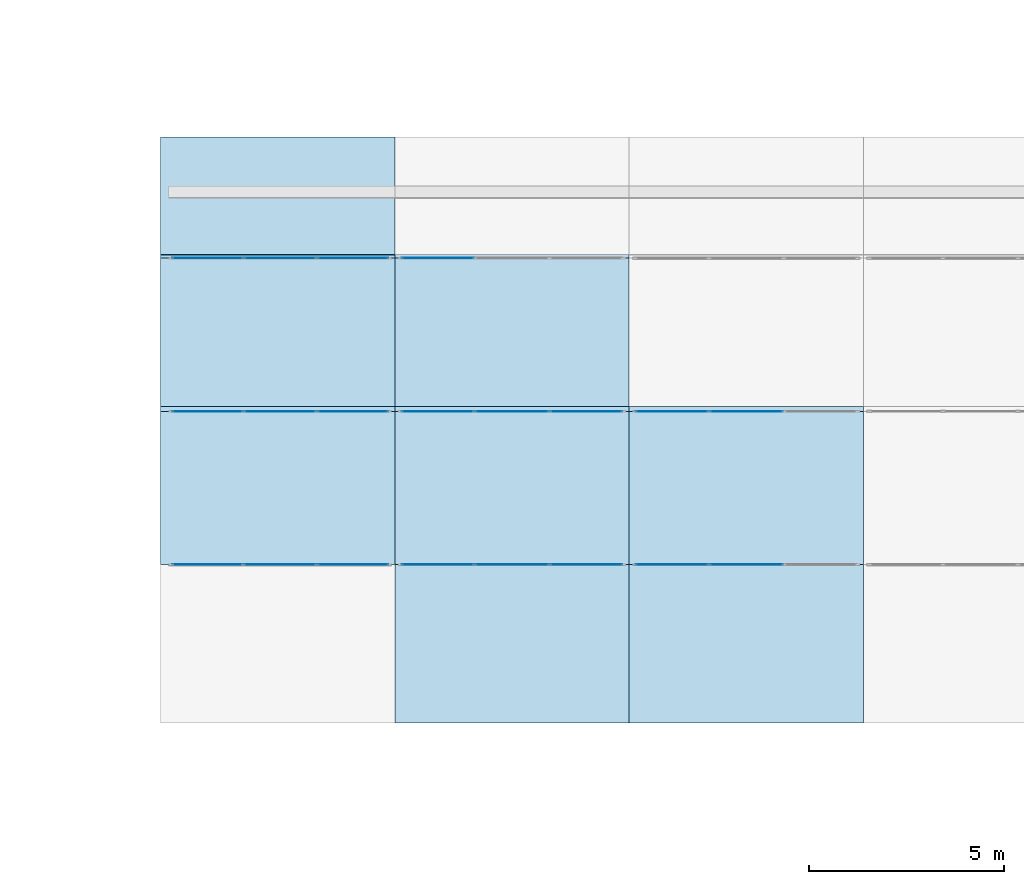
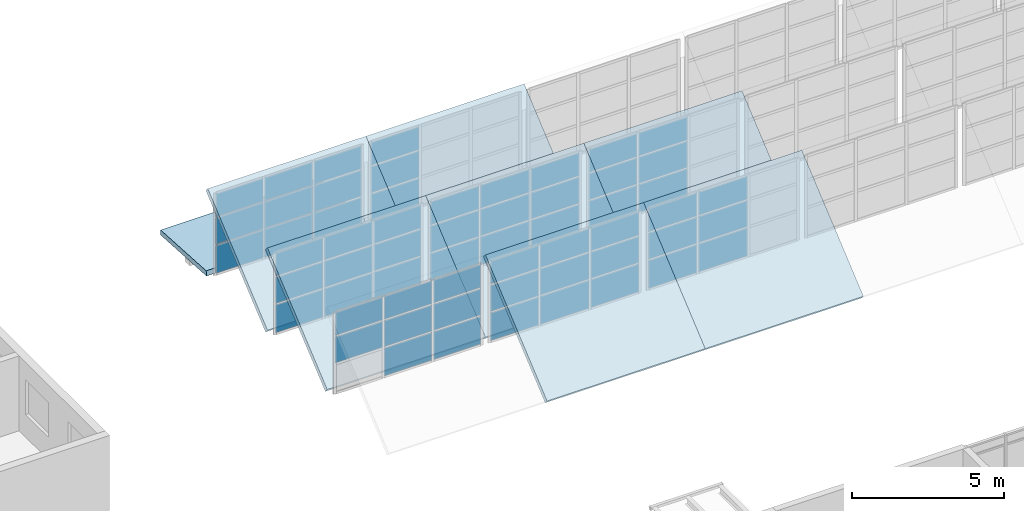
# One storey, part 46 of 122: 59 plates, 8 slabs, 8 elements without a shape of their own.
"""IFC4 building model written with IfcOpenShell, lengths in metres."""

from ifc_helpers import new_model, si_unit, direction, frame, origin, origin_2d, place, context, subcontext, project, spatial, polyline, rectangle, outline, extrude, material, layer, layer_set, type_object, element, aggregate, save


model = new_model("IFC4")

# Units and contexts
model_context = context("Model", 3, precision=1e-05, world=origin(), true_north=direction((0.0, 1.0)))
body_context = subcontext(model_context, "Body", "Model", "MODEL_VIEW")
ifc_project = project(units=[si_unit("LENGTHUNIT", "METRE"), si_unit("AREAUNIT", "SQUARE_METRE"), si_unit("VOLUMEUNIT", "CUBIC_METRE"), si_unit("PLANEANGLEUNIT", "RADIAN"), si_unit("MASSUNIT", "GRAM", prefix="KILO")], contexts=[model_context])

# Site, building, storey
site_placement = place(None, origin())
site = spatial("IfcSite", under=ifc_project, at=site_placement, CompositionType="ELEMENT")
building_placement = place(site_placement, origin())
building = spatial("IfcBuilding", under=site, at=building_placement, Name="Ridgestep Commons", CompositionType="ELEMENT")
storey_placement = place(building_placement, frame((0.0, 0.0, 3.0)))
storey = spatial("IfcBuildingStorey", under=building, at=storey_placement, Name="L01", CompositionType="ELEMENT", Elevation=3.0)

# Curtain wall, plates
ifc_material_1 = material(Name="Aluminium and glass", Category="aluminium")
ifc_layer_1 = layer(ifc_material_1, 0.14990234375)
ifc_layer_set_1 = layer_set([ifc_layer_1], Name="Shop clerestory curtain wall")
curtain_wall_type = type_object("IfcCurtainWallType", Name="Shop clerestory curtain wall", PredefinedType="NOTDEFINED", material=ifc_layer_set_1)
curtain_wall_1_placement = place(storey_placement, origin())
curtain_wall_1 = element("IfcCurtainWall", 1, at=curtain_wall_1_placement, inside=storey, type_object=curtain_wall_type, Name="Shop clerestory curtain wall", PredefinedType="NOTDEFINED")
ifc_material_2 = material(Name="Glass", Category="glass")
ifc_layer_2 = layer(ifc_material_2, 0.011962890625)
ifc_layer_set_2 = layer_set([ifc_layer_2], Name="Community glass panel 12")
plate_type = type_object("IfcPlateType", Name="Community glass panel 12", PredefinedType="CURTAIN_PANEL", material=ifc_layer_set_2)
plate_1_placement = place(storey_placement, frame((177.0, 38.050048828125, 2.4248046875), z_axis=(0.0, 0.0, 1.0), x_axis=(1.0, 0.0, 0.0)))
plate_1 = element("IfcPlate", 2, at=plate_1_placement, type_object=plate_type, Name="CW5 panel 1.2", PredefinedType="CURTAIN_PANEL", context=body_context, shape_type="SweptSolid", body=[
    extrude(rectangle(XDim=1.800048828125, YDim=0.011962890625, at=origin_2d()), origin(), (0.0, 0.0, 1.0), 1.050048828125),
])
plate_2_placement = place(storey_placement, frame((177.0, 38.050048828125, 3.52490234375), z_axis=(0.0, 0.0, 1.0), x_axis=(1.0, 0.0, 0.0)))
plate_2 = element("IfcPlate", 3, at=plate_2_placement, type_object=plate_type, Name="CW5 panel 1.3", PredefinedType="CURTAIN_PANEL", context=body_context, shape_type="SweptSolid", body=[
    extrude(rectangle(XDim=1.800048828125, YDim=0.011962890625, at=origin_2d()), origin(), (0.0, 0.0, 1.0), 0.925048828125),
])
plate_3_placement = place(storey_placement, frame((178.862548828125, 38.050048828125, 1.25), z_axis=(0.0, 0.0, 1.0), x_axis=(1.0, 0.0, 0.0)))
plate_3 = element("IfcPlate", 4, at=plate_3_placement, type_object=plate_type, Name="CW5 panel 2.1", PredefinedType="CURTAIN_PANEL", context=body_context, shape_type="SweptSolid", body=[
    extrude(rectangle(XDim=1.824951171875, YDim=0.011962890625, at=origin_2d()), origin(), (0.0, 0.0, 1.0), 1.125),
])
plate_4_placement = place(storey_placement, frame((178.862548828125, 38.050048828125, 2.4248046875), z_axis=(0.0, 0.0, 1.0), x_axis=(1.0, 0.0, 0.0)))
plate_4 = element("IfcPlate", 5, at=plate_4_placement, type_object=plate_type, Name="CW5 panel 2.2", PredefinedType="CURTAIN_PANEL", context=body_context, shape_type="SweptSolid", body=[
    extrude(rectangle(XDim=1.824951171875, YDim=0.011962890625, at=origin_2d()), origin(), (0.0, 0.0, 1.0), 1.050048828125),
])
plate_5_placement = place(storey_placement, frame((178.862548828125, 38.050048828125, 3.52490234375), z_axis=(0.0, 0.0, 1.0), x_axis=(1.0, 0.0, 0.0)))
plate_5 = element("IfcPlate", 6, at=plate_5_placement, type_object=plate_type, Name="CW5 panel 2.3", PredefinedType="CURTAIN_PANEL", context=body_context, shape_type="SweptSolid", body=[
    extrude(rectangle(XDim=1.824951171875, YDim=0.011962890625, at=origin_2d()), origin(), (0.0, 0.0, 1.0), 0.925048828125),
])
plate_6_placement = place(storey_placement, frame((180.72509765625, 38.050048828125, 1.25), z_axis=(0.0, 0.0, 1.0), x_axis=(1.0, 0.0, 0.0)))
plate_6 = element("IfcPlate", 7, at=plate_6_placement, type_object=plate_type, Name="CW5 panel 3.1", PredefinedType="CURTAIN_PANEL", context=body_context, shape_type="SweptSolid", body=[
    extrude(rectangle(XDim=1.800048828125, YDim=0.011962890625, at=origin_2d()), origin(), (0.0, 0.0, 1.0), 1.125),
])
plate_7_placement = place(storey_placement, frame((180.72509765625, 38.050048828125, 2.4248046875), z_axis=(0.0, 0.0, 1.0), x_axis=(1.0, 0.0, 0.0)))
plate_7 = element("IfcPlate", 8, at=plate_7_placement, type_object=plate_type, Name="CW5 panel 3.2", PredefinedType="CURTAIN_PANEL", context=body_context, shape_type="SweptSolid", body=[
    extrude(rectangle(XDim=1.800048828125, YDim=0.011962890625, at=origin_2d()), origin(), (0.0, 0.0, 1.0), 1.050048828125),
])
plate_8_placement = place(storey_placement, frame((180.72509765625, 38.050048828125, 3.52490234375), z_axis=(0.0, 0.0, 1.0), x_axis=(1.0, 0.0, 0.0)))
plate_8 = element("IfcPlate", 9, at=plate_8_placement, type_object=plate_type, Name="CW5 panel 3.3", PredefinedType="CURTAIN_PANEL", context=body_context, shape_type="SweptSolid", body=[
    extrude(rectangle(XDim=1.800048828125, YDim=0.011962890625, at=origin_2d()), origin(), (0.0, 0.0, 1.0), 0.925048828125),
])
aggregate(curtain_wall_1, [plate_1, plate_2, plate_3, plate_4, plate_5, plate_6, plate_7, plate_8])

curtain_wall_2_placement = place(storey_placement, origin())
curtain_wall_2 = element("IfcCurtainWall", 10, at=curtain_wall_2_placement, inside=storey, type_object=curtain_wall_type, Name="Shop clerestory curtain wall", PredefinedType="NOTDEFINED")
plate_9_placement = place(storey_placement, frame((177.0, 41.97509765625, 1.25), z_axis=(0.0, 0.0, 1.0), x_axis=(1.0, 0.0, 0.0)))
plate_9 = element("IfcPlate", 11, at=plate_9_placement, type_object=plate_type, Name="CW5 panel 1.1", PredefinedType="CURTAIN_PANEL", context=body_context, shape_type="SweptSolid", body=[
    extrude(rectangle(XDim=1.800048828125, YDim=0.011962890625, at=origin_2d()), origin(), (0.0, 0.0, 1.0), 1.125),
])
plate_10_placement = place(storey_placement, frame((177.0, 41.97509765625, 2.4248046875), z_axis=(0.0, 0.0, 1.0), x_axis=(1.0, 0.0, 0.0)))
plate_10 = element("IfcPlate", 12, at=plate_10_placement, type_object=plate_type, Name="CW5 panel 1.2", PredefinedType="CURTAIN_PANEL", context=body_context, shape_type="SweptSolid", body=[
    extrude(rectangle(XDim=1.800048828125, YDim=0.011962890625, at=origin_2d()), origin(), (0.0, 0.0, 1.0), 1.050048828125),
])
plate_11_placement = place(storey_placement, frame((177.0, 41.97509765625, 3.52490234375), z_axis=(0.0, 0.0, 1.0), x_axis=(1.0, 0.0, 0.0)))
plate_11 = element("IfcPlate", 13, at=plate_11_placement, type_object=plate_type, Name="CW5 panel 1.3", PredefinedType="CURTAIN_PANEL", context=body_context, shape_type="SweptSolid", body=[
    extrude(rectangle(XDim=1.800048828125, YDim=0.011962890625, at=origin_2d()), origin(), (0.0, 0.0, 1.0), 0.925048828125),
])
plate_12_placement = place(storey_placement, frame((178.862548828125, 41.97509765625, 1.25), z_axis=(0.0, 0.0, 1.0), x_axis=(1.0, 0.0, 0.0)))
plate_12 = element("IfcPlate", 14, at=plate_12_placement, type_object=plate_type, Name="CW5 panel 2.1", PredefinedType="CURTAIN_PANEL", context=body_context, shape_type="SweptSolid", body=[
    extrude(rectangle(XDim=1.824951171875, YDim=0.011962890625, at=origin_2d()), origin(), (0.0, 0.0, 1.0), 1.125),
])
plate_13_placement = place(storey_placement, frame((178.862548828125, 41.97509765625, 2.4248046875), z_axis=(0.0, 0.0, 1.0), x_axis=(1.0, 0.0, 0.0)))
plate_13 = element("IfcPlate", 15, at=plate_13_placement, type_object=plate_type, Name="CW5 panel 2.2", PredefinedType="CURTAIN_PANEL", context=body_context, shape_type="SweptSolid", body=[
    extrude(rectangle(XDim=1.824951171875, YDim=0.011962890625, at=origin_2d()), origin(), (0.0, 0.0, 1.0), 1.050048828125),
])
plate_14_placement = place(storey_placement, frame((178.862548828125, 41.97509765625, 3.52490234375), z_axis=(0.0, 0.0, 1.0), x_axis=(1.0, 0.0, 0.0)))
plate_14 = element("IfcPlate", 16, at=plate_14_placement, type_object=plate_type, Name="CW5 panel 2.3", PredefinedType="CURTAIN_PANEL", context=body_context, shape_type="SweptSolid", body=[
    extrude(rectangle(XDim=1.824951171875, YDim=0.011962890625, at=origin_2d()), origin(), (0.0, 0.0, 1.0), 0.925048828125),
])
plate_15_placement = place(storey_placement, frame((180.72509765625, 41.97509765625, 1.25), z_axis=(0.0, 0.0, 1.0), x_axis=(1.0, 0.0, 0.0)))
plate_15 = element("IfcPlate", 17, at=plate_15_placement, type_object=plate_type, Name="CW5 panel 3.1", PredefinedType="CURTAIN_PANEL", context=body_context, shape_type="SweptSolid", body=[
    extrude(rectangle(XDim=1.800048828125, YDim=0.011962890625, at=origin_2d()), origin(), (0.0, 0.0, 1.0), 1.125),
])
plate_16_placement = place(storey_placement, frame((180.72509765625, 41.97509765625, 2.4248046875), z_axis=(0.0, 0.0, 1.0), x_axis=(1.0, 0.0, 0.0)))
plate_16 = element("IfcPlate", 18, at=plate_16_placement, type_object=plate_type, Name="CW5 panel 3.2", PredefinedType="CURTAIN_PANEL", context=body_context, shape_type="SweptSolid", body=[
    extrude(rectangle(XDim=1.800048828125, YDim=0.011962890625, at=origin_2d()), origin(), (0.0, 0.0, 1.0), 1.050048828125),
])
plate_17_placement = place(storey_placement, frame((180.72509765625, 41.97509765625, 3.52490234375), z_axis=(0.0, 0.0, 1.0), x_axis=(1.0, 0.0, 0.0)))
plate_17 = element("IfcPlate", 19, at=plate_17_placement, type_object=plate_type, Name="CW5 panel 3.3", PredefinedType="CURTAIN_PANEL", context=body_context, shape_type="SweptSolid", body=[
    extrude(rectangle(XDim=1.800048828125, YDim=0.011962890625, at=origin_2d()), origin(), (0.0, 0.0, 1.0), 0.925048828125),
])
aggregate(curtain_wall_2, [plate_9, plate_10, plate_11, plate_12, plate_13, plate_14, plate_15, plate_16, plate_17])

curtain_wall_3_placement = place(storey_placement, origin())
curtain_wall_3 = element("IfcCurtainWall", 20, at=curtain_wall_3_placement, inside=storey, type_object=curtain_wall_type, Name="Shop clerestory curtain wall", PredefinedType="NOTDEFINED")
plate_18_placement = place(storey_placement, frame((177.0, 45.89990234375, 1.25), z_axis=(0.0, 0.0, 1.0), x_axis=(1.0, 0.0, 0.0)))
plate_18 = element("IfcPlate", 21, at=plate_18_placement, type_object=plate_type, Name="CW5 panel 1.1", PredefinedType="CURTAIN_PANEL", context=body_context, shape_type="SweptSolid", body=[
    extrude(rectangle(XDim=1.800048828125, YDim=0.011962890625, at=origin_2d()), origin(), (0.0, 0.0, 1.0), 1.125),
])
plate_19_placement = place(storey_placement, frame((177.0, 45.89990234375, 2.4248046875), z_axis=(0.0, 0.0, 1.0), x_axis=(1.0, 0.0, 0.0)))
plate_19 = element("IfcPlate", 22, at=plate_19_placement, type_object=plate_type, Name="CW5 panel 1.2", PredefinedType="CURTAIN_PANEL", context=body_context, shape_type="SweptSolid", body=[
    extrude(rectangle(XDim=1.800048828125, YDim=0.011962890625, at=origin_2d()), origin(), (0.0, 0.0, 1.0), 1.050048828125),
])
plate_20_placement = place(storey_placement, frame((177.0, 45.89990234375, 3.52490234375), z_axis=(0.0, 0.0, 1.0), x_axis=(1.0, 0.0, 0.0)))
plate_20 = element("IfcPlate", 23, at=plate_20_placement, type_object=plate_type, Name="CW5 panel 1.3", PredefinedType="CURTAIN_PANEL", context=body_context, shape_type="SweptSolid", body=[
    extrude(rectangle(XDim=1.800048828125, YDim=0.011962890625, at=origin_2d()), origin(), (0.0, 0.0, 1.0), 0.925048828125),
])
plate_21_placement = place(storey_placement, frame((178.862548828125, 45.89990234375, 1.25), z_axis=(0.0, 0.0, 1.0), x_axis=(1.0, 0.0, 0.0)))
plate_21 = element("IfcPlate", 24, at=plate_21_placement, type_object=plate_type, Name="CW5 panel 2.1", PredefinedType="CURTAIN_PANEL", context=body_context, shape_type="SweptSolid", body=[
    extrude(rectangle(XDim=1.824951171875, YDim=0.011962890625, at=origin_2d()), origin(), (0.0, 0.0, 1.0), 1.125),
])
plate_22_placement = place(storey_placement, frame((178.862548828125, 45.89990234375, 2.4248046875), z_axis=(0.0, 0.0, 1.0), x_axis=(1.0, 0.0, 0.0)))
plate_22 = element("IfcPlate", 25, at=plate_22_placement, type_object=plate_type, Name="CW5 panel 2.2", PredefinedType="CURTAIN_PANEL", context=body_context, shape_type="SweptSolid", body=[
    extrude(rectangle(XDim=1.824951171875, YDim=0.011962890625, at=origin_2d()), origin(), (0.0, 0.0, 1.0), 1.050048828125),
])
plate_23_placement = place(storey_placement, frame((178.862548828125, 45.89990234375, 3.52490234375), z_axis=(0.0, 0.0, 1.0), x_axis=(1.0, 0.0, 0.0)))
plate_23 = element("IfcPlate", 26, at=plate_23_placement, type_object=plate_type, Name="CW5 panel 2.3", PredefinedType="CURTAIN_PANEL", context=body_context, shape_type="SweptSolid", body=[
    extrude(rectangle(XDim=1.824951171875, YDim=0.011962890625, at=origin_2d()), origin(), (0.0, 0.0, 1.0), 0.925048828125),
])
plate_24_placement = place(storey_placement, frame((180.72509765625, 45.89990234375, 1.25), z_axis=(0.0, 0.0, 1.0), x_axis=(1.0, 0.0, 0.0)))
plate_24 = element("IfcPlate", 27, at=plate_24_placement, type_object=plate_type, Name="CW5 panel 3.1", PredefinedType="CURTAIN_PANEL", context=body_context, shape_type="SweptSolid", body=[
    extrude(rectangle(XDim=1.800048828125, YDim=0.011962890625, at=origin_2d()), origin(), (0.0, 0.0, 1.0), 1.125),
])
plate_25_placement = place(storey_placement, frame((180.72509765625, 45.89990234375, 2.4248046875), z_axis=(0.0, 0.0, 1.0), x_axis=(1.0, 0.0, 0.0)))
plate_25 = element("IfcPlate", 28, at=plate_25_placement, type_object=plate_type, Name="CW5 panel 3.2", PredefinedType="CURTAIN_PANEL", context=body_context, shape_type="SweptSolid", body=[
    extrude(rectangle(XDim=1.800048828125, YDim=0.011962890625, at=origin_2d()), origin(), (0.0, 0.0, 1.0), 1.050048828125),
])
plate_26_placement = place(storey_placement, frame((180.72509765625, 45.89990234375, 3.52490234375), z_axis=(0.0, 0.0, 1.0), x_axis=(1.0, 0.0, 0.0)))
plate_26 = element("IfcPlate", 29, at=plate_26_placement, type_object=plate_type, Name="CW5 panel 3.3", PredefinedType="CURTAIN_PANEL", context=body_context, shape_type="SweptSolid", body=[
    extrude(rectangle(XDim=1.800048828125, YDim=0.011962890625, at=origin_2d()), origin(), (0.0, 0.0, 1.0), 0.925048828125),
])
aggregate(curtain_wall_3, [plate_18, plate_19, plate_20, plate_21, plate_22, plate_23, plate_24, plate_25, plate_26])

curtain_wall_4_placement = place(storey_placement, origin())
curtain_wall_4 = element("IfcCurtainWall", 30, at=curtain_wall_4_placement, inside=storey, type_object=curtain_wall_type, Name="Shop clerestory curtain wall", PredefinedType="NOTDEFINED")
plate_27_placement = place(storey_placement, frame((182.895751953125, 38.050048828125, 1.25), z_axis=(0.0, 0.0, 1.0), x_axis=(1.0, 0.0, 0.0)))
plate_27 = element("IfcPlate", 31, at=plate_27_placement, type_object=plate_type, Name="CW5 panel 1.1", PredefinedType="CURTAIN_PANEL", context=body_context, shape_type="SweptSolid", body=[
    extrude(rectangle(XDim=1.841552734375, YDim=0.011962890625, at=origin_2d()), origin(), (0.0, 0.0, 1.0), 1.125),
])
plate_28_placement = place(storey_placement, frame((182.895751953125, 38.050048828125, 2.4248046875), z_axis=(0.0, 0.0, 1.0), x_axis=(1.0, 0.0, 0.0)))
plate_28 = element("IfcPlate", 32, at=plate_28_placement, type_object=plate_type, Name="CW5 panel 1.2", PredefinedType="CURTAIN_PANEL", context=body_context, shape_type="SweptSolid", body=[
    extrude(rectangle(XDim=1.841552734375, YDim=0.011962890625, at=origin_2d()), origin(), (0.0, 0.0, 1.0), 1.050048828125),
])
plate_29_placement = place(storey_placement, frame((182.895751953125, 38.050048828125, 3.52490234375), z_axis=(0.0, 0.0, 1.0), x_axis=(1.0, 0.0, 0.0)))
plate_29 = element("IfcPlate", 33, at=plate_29_placement, type_object=plate_type, Name="CW5 panel 1.3", PredefinedType="CURTAIN_PANEL", context=body_context, shape_type="SweptSolid", body=[
    extrude(rectangle(XDim=1.841552734375, YDim=0.011962890625, at=origin_2d()), origin(), (0.0, 0.0, 1.0), 0.925048828125),
])
plate_30_placement = place(storey_placement, frame((184.800048828125, 38.050048828125, 1.25), z_axis=(0.0, 0.0, 1.0), x_axis=(1.0, 0.0, 0.0)))
plate_30 = element("IfcPlate", 34, at=plate_30_placement, type_object=plate_type, Name="CW5 panel 2.1", PredefinedType="CURTAIN_PANEL", context=body_context, shape_type="SweptSolid", body=[
    extrude(rectangle(XDim=1.86669921875, YDim=0.011962890625, at=origin_2d()), origin(), (0.0, 0.0, 1.0), 1.125),
])
plate_31_placement = place(storey_placement, frame((184.800048828125, 38.050048828125, 2.4248046875), z_axis=(0.0, 0.0, 1.0), x_axis=(1.0, 0.0, 0.0)))
plate_31 = element("IfcPlate", 35, at=plate_31_placement, type_object=plate_type, Name="CW5 panel 2.2", PredefinedType="CURTAIN_PANEL", context=body_context, shape_type="SweptSolid", body=[
    extrude(rectangle(XDim=1.86669921875, YDim=0.011962890625, at=origin_2d()), origin(), (0.0, 0.0, 1.0), 1.050048828125),
])
plate_32_placement = place(storey_placement, frame((184.800048828125, 38.050048828125, 3.52490234375), z_axis=(0.0, 0.0, 1.0), x_axis=(1.0, 0.0, 0.0)))
plate_32 = element("IfcPlate", 36, at=plate_32_placement, type_object=plate_type, Name="CW5 panel 2.3", PredefinedType="CURTAIN_PANEL", context=body_context, shape_type="SweptSolid", body=[
    extrude(rectangle(XDim=1.86669921875, YDim=0.011962890625, at=origin_2d()), origin(), (0.0, 0.0, 1.0), 0.925048828125),
])
plate_33_placement = place(storey_placement, frame((186.7041015625, 38.050048828125, 1.25), z_axis=(0.0, 0.0, 1.0), x_axis=(1.0, 0.0, 0.0)))
plate_33 = element("IfcPlate", 37, at=plate_33_placement, type_object=plate_type, Name="CW5 panel 3.1", PredefinedType="CURTAIN_PANEL", context=body_context, shape_type="SweptSolid", body=[
    extrude(rectangle(XDim=1.841552734375, YDim=0.011962890625, at=origin_2d()), origin(), (0.0, 0.0, 1.0), 1.125),
])
plate_34_placement = place(storey_placement, frame((186.7041015625, 38.050048828125, 2.4248046875), z_axis=(0.0, 0.0, 1.0), x_axis=(1.0, 0.0, 0.0)))
plate_34 = element("IfcPlate", 38, at=plate_34_placement, type_object=plate_type, Name="CW5 panel 3.2", PredefinedType="CURTAIN_PANEL", context=body_context, shape_type="SweptSolid", body=[
    extrude(rectangle(XDim=1.841552734375, YDim=0.011962890625, at=origin_2d()), origin(), (0.0, 0.0, 1.0), 1.050048828125),
])
plate_35_placement = place(storey_placement, frame((186.7041015625, 38.050048828125, 3.52490234375), z_axis=(0.0, 0.0, 1.0), x_axis=(1.0, 0.0, 0.0)))
plate_35 = element("IfcPlate", 39, at=plate_35_placement, type_object=plate_type, Name="CW5 panel 3.3", PredefinedType="CURTAIN_PANEL", context=body_context, shape_type="SweptSolid", body=[
    extrude(rectangle(XDim=1.841552734375, YDim=0.011962890625, at=origin_2d()), origin(), (0.0, 0.0, 1.0), 0.925048828125),
])
aggregate(curtain_wall_4, [plate_27, plate_28, plate_29, plate_30, plate_31, plate_32, plate_33, plate_34, plate_35])

curtain_wall_5_placement = place(storey_placement, origin())
curtain_wall_5 = element("IfcCurtainWall", 40, at=curtain_wall_5_placement, inside=storey, type_object=curtain_wall_type, Name="Shop clerestory curtain wall", PredefinedType="NOTDEFINED")
plate_36_placement = place(storey_placement, frame((182.895751953125, 41.97509765625, 1.25), z_axis=(0.0, 0.0, 1.0), x_axis=(1.0, 0.0, 0.0)))
plate_36 = element("IfcPlate", 41, at=plate_36_placement, type_object=plate_type, Name="CW5 panel 1.1", PredefinedType="CURTAIN_PANEL", context=body_context, shape_type="SweptSolid", body=[
    extrude(rectangle(XDim=1.841552734375, YDim=0.011962890625, at=origin_2d()), origin(), (0.0, 0.0, 1.0), 1.125),
])
plate_37_placement = place(storey_placement, frame((182.895751953125, 41.97509765625, 2.4248046875), z_axis=(0.0, 0.0, 1.0), x_axis=(1.0, 0.0, 0.0)))
plate_37 = element("IfcPlate", 42, at=plate_37_placement, type_object=plate_type, Name="CW5 panel 1.2", PredefinedType="CURTAIN_PANEL", context=body_context, shape_type="SweptSolid", body=[
    extrude(rectangle(XDim=1.841552734375, YDim=0.011962890625, at=origin_2d()), origin(), (0.0, 0.0, 1.0), 1.050048828125),
])
plate_38_placement = place(storey_placement, frame((182.895751953125, 41.97509765625, 3.52490234375), z_axis=(0.0, 0.0, 1.0), x_axis=(1.0, 0.0, 0.0)))
plate_38 = element("IfcPlate", 43, at=plate_38_placement, type_object=plate_type, Name="CW5 panel 1.3", PredefinedType="CURTAIN_PANEL", context=body_context, shape_type="SweptSolid", body=[
    extrude(rectangle(XDim=1.841552734375, YDim=0.011962890625, at=origin_2d()), origin(), (0.0, 0.0, 1.0), 0.925048828125),
])
plate_39_placement = place(storey_placement, frame((184.800048828125, 41.97509765625, 1.25), z_axis=(0.0, 0.0, 1.0), x_axis=(1.0, 0.0, 0.0)))
plate_39 = element("IfcPlate", 44, at=plate_39_placement, type_object=plate_type, Name="CW5 panel 2.1", PredefinedType="CURTAIN_PANEL", context=body_context, shape_type="SweptSolid", body=[
    extrude(rectangle(XDim=1.86669921875, YDim=0.011962890625, at=origin_2d()), origin(), (0.0, 0.0, 1.0), 1.125),
])
plate_40_placement = place(storey_placement, frame((184.800048828125, 41.97509765625, 2.4248046875), z_axis=(0.0, 0.0, 1.0), x_axis=(1.0, 0.0, 0.0)))
plate_40 = element("IfcPlate", 45, at=plate_40_placement, type_object=plate_type, Name="CW5 panel 2.2", PredefinedType="CURTAIN_PANEL", context=body_context, shape_type="SweptSolid", body=[
    extrude(rectangle(XDim=1.86669921875, YDim=0.011962890625, at=origin_2d()), origin(), (0.0, 0.0, 1.0), 1.050048828125),
])
plate_41_placement = place(storey_placement, frame((184.800048828125, 41.97509765625, 3.52490234375), z_axis=(0.0, 0.0, 1.0), x_axis=(1.0, 0.0, 0.0)))
plate_41 = element("IfcPlate", 46, at=plate_41_placement, type_object=plate_type, Name="CW5 panel 2.3", PredefinedType="CURTAIN_PANEL", context=body_context, shape_type="SweptSolid", body=[
    extrude(rectangle(XDim=1.86669921875, YDim=0.011962890625, at=origin_2d()), origin(), (0.0, 0.0, 1.0), 0.925048828125),
])
plate_42_placement = place(storey_placement, frame((186.7041015625, 41.97509765625, 1.25), z_axis=(0.0, 0.0, 1.0), x_axis=(1.0, 0.0, 0.0)))
plate_42 = element("IfcPlate", 47, at=plate_42_placement, type_object=plate_type, Name="CW5 panel 3.1", PredefinedType="CURTAIN_PANEL", context=body_context, shape_type="SweptSolid", body=[
    extrude(rectangle(XDim=1.841552734375, YDim=0.011962890625, at=origin_2d()), origin(), (0.0, 0.0, 1.0), 1.125),
])
plate_43_placement = place(storey_placement, frame((186.7041015625, 41.97509765625, 2.4248046875), z_axis=(0.0, 0.0, 1.0), x_axis=(1.0, 0.0, 0.0)))
plate_43 = element("IfcPlate", 48, at=plate_43_placement, type_object=plate_type, Name="CW5 panel 3.2", PredefinedType="CURTAIN_PANEL", context=body_context, shape_type="SweptSolid", body=[
    extrude(rectangle(XDim=1.841552734375, YDim=0.011962890625, at=origin_2d()), origin(), (0.0, 0.0, 1.0), 1.050048828125),
])
plate_44_placement = place(storey_placement, frame((186.7041015625, 41.97509765625, 3.52490234375), z_axis=(0.0, 0.0, 1.0), x_axis=(1.0, 0.0, 0.0)))
plate_44 = element("IfcPlate", 49, at=plate_44_placement, type_object=plate_type, Name="CW5 panel 3.3", PredefinedType="CURTAIN_PANEL", context=body_context, shape_type="SweptSolid", body=[
    extrude(rectangle(XDim=1.841552734375, YDim=0.011962890625, at=origin_2d()), origin(), (0.0, 0.0, 1.0), 0.925048828125),
])
aggregate(curtain_wall_5, [plate_36, plate_37, plate_38, plate_39, plate_40, plate_41, plate_42, plate_43, plate_44])

curtain_wall_6_placement = place(storey_placement, origin())
curtain_wall_6 = element("IfcCurtainWall", 50, at=curtain_wall_6_placement, inside=storey, type_object=curtain_wall_type, Name="Shop clerestory curtain wall", PredefinedType="NOTDEFINED")
plate_45_placement = place(storey_placement, frame((182.895751953125, 45.89990234375, 1.25), z_axis=(0.0, 0.0, 1.0), x_axis=(1.0, 0.0, 0.0)))
plate_45 = element("IfcPlate", 51, at=plate_45_placement, type_object=plate_type, Name="CW5 panel 1.1", PredefinedType="CURTAIN_PANEL", context=body_context, shape_type="SweptSolid", body=[
    extrude(rectangle(XDim=1.841552734375, YDim=0.011962890625, at=origin_2d()), origin(), (0.0, 0.0, 1.0), 1.125),
])
plate_46_placement = place(storey_placement, frame((182.895751953125, 45.89990234375, 2.4248046875), z_axis=(0.0, 0.0, 1.0), x_axis=(1.0, 0.0, 0.0)))
plate_46 = element("IfcPlate", 52, at=plate_46_placement, type_object=plate_type, Name="CW5 panel 1.2", PredefinedType="CURTAIN_PANEL", context=body_context, shape_type="SweptSolid", body=[
    extrude(rectangle(XDim=1.841552734375, YDim=0.011962890625, at=origin_2d()), origin(), (0.0, 0.0, 1.0), 1.050048828125),
])
plate_47_placement = place(storey_placement, frame((182.895751953125, 45.89990234375, 3.52490234375), z_axis=(0.0, 0.0, 1.0), x_axis=(1.0, 0.0, 0.0)))
plate_47 = element("IfcPlate", 53, at=plate_47_placement, type_object=plate_type, Name="CW5 panel 1.3", PredefinedType="CURTAIN_PANEL", context=body_context, shape_type="SweptSolid", body=[
    extrude(rectangle(XDim=1.841552734375, YDim=0.011962890625, at=origin_2d()), origin(), (0.0, 0.0, 1.0), 0.925048828125),
])
aggregate(curtain_wall_6, [plate_45, plate_46, plate_47])

curtain_wall_7_placement = place(storey_placement, origin())
curtain_wall_7 = element("IfcCurtainWall", 54, at=curtain_wall_7_placement, inside=storey, type_object=curtain_wall_type, Name="Shop clerestory curtain wall", PredefinedType="NOTDEFINED")
plate_48_placement = place(storey_placement, frame((188.895751953125, 38.050048828125, 1.25), z_axis=(0.0, 0.0, 1.0), x_axis=(1.0, 0.0, 0.0)))
plate_48 = element("IfcPlate", 55, at=plate_48_placement, type_object=plate_type, Name="CW5 panel 1.1", PredefinedType="CURTAIN_PANEL", context=body_context, shape_type="SweptSolid", body=[
    extrude(rectangle(XDim=1.841552734375, YDim=0.011962890625, at=origin_2d()), origin(), (0.0, 0.0, 1.0), 1.125),
])
plate_49_placement = place(storey_placement, frame((188.895751953125, 38.050048828125, 2.4248046875), z_axis=(0.0, 0.0, 1.0), x_axis=(1.0, 0.0, 0.0)))
plate_49 = element("IfcPlate", 56, at=plate_49_placement, type_object=plate_type, Name="CW5 panel 1.2", PredefinedType="CURTAIN_PANEL", context=body_context, shape_type="SweptSolid", body=[
    extrude(rectangle(XDim=1.841552734375, YDim=0.011962890625, at=origin_2d()), origin(), (0.0, 0.0, 1.0), 1.050048828125),
])
plate_50_placement = place(storey_placement, frame((188.895751953125, 38.050048828125, 3.52490234375), z_axis=(0.0, 0.0, 1.0), x_axis=(1.0, 0.0, 0.0)))
plate_50 = element("IfcPlate", 57, at=plate_50_placement, type_object=plate_type, Name="CW5 panel 1.3", PredefinedType="CURTAIN_PANEL", context=body_context, shape_type="SweptSolid", body=[
    extrude(rectangle(XDim=1.841552734375, YDim=0.011962890625, at=origin_2d()), origin(), (0.0, 0.0, 1.0), 0.925048828125),
])
plate_51_placement = place(storey_placement, frame((190.800048828125, 38.050048828125, 1.25), z_axis=(0.0, 0.0, 1.0), x_axis=(1.0, 0.0, 0.0)))
plate_51 = element("IfcPlate", 58, at=plate_51_placement, type_object=plate_type, Name="CW5 panel 2.1", PredefinedType="CURTAIN_PANEL", context=body_context, shape_type="SweptSolid", body=[
    extrude(rectangle(XDim=1.86669921875, YDim=0.011962890625, at=origin_2d()), origin(), (0.0, 0.0, 1.0), 1.125),
])
plate_52_placement = place(storey_placement, frame((190.800048828125, 38.050048828125, 2.4248046875), z_axis=(0.0, 0.0, 1.0), x_axis=(1.0, 0.0, 0.0)))
plate_52 = element("IfcPlate", 59, at=plate_52_placement, type_object=plate_type, Name="CW5 panel 2.2", PredefinedType="CURTAIN_PANEL", context=body_context, shape_type="SweptSolid", body=[
    extrude(rectangle(XDim=1.86669921875, YDim=0.011962890625, at=origin_2d()), origin(), (0.0, 0.0, 1.0), 1.050048828125),
])
plate_53_placement = place(storey_placement, frame((190.800048828125, 38.050048828125, 3.52490234375), z_axis=(0.0, 0.0, 1.0), x_axis=(1.0, 0.0, 0.0)))
plate_53 = element("IfcPlate", 60, at=plate_53_placement, type_object=plate_type, Name="CW5 panel 2.3", PredefinedType="CURTAIN_PANEL", context=body_context, shape_type="SweptSolid", body=[
    extrude(rectangle(XDim=1.86669921875, YDim=0.011962890625, at=origin_2d()), origin(), (0.0, 0.0, 1.0), 0.925048828125),
])
aggregate(curtain_wall_7, [plate_48, plate_49, plate_50, plate_51, plate_52, plate_53])

curtain_wall_8_placement = place(storey_placement, origin())
curtain_wall_8 = element("IfcCurtainWall", 61, at=curtain_wall_8_placement, inside=storey, type_object=curtain_wall_type, Name="Shop clerestory curtain wall", PredefinedType="NOTDEFINED")
plate_54_placement = place(storey_placement, frame((188.895751953125, 41.97509765625, 1.25), z_axis=(0.0, 0.0, 1.0), x_axis=(1.0, 0.0, 0.0)))
plate_54 = element("IfcPlate", 62, at=plate_54_placement, type_object=plate_type, Name="CW5 panel 1.1", PredefinedType="CURTAIN_PANEL", context=body_context, shape_type="SweptSolid", body=[
    extrude(rectangle(XDim=1.841552734375, YDim=0.011962890625, at=origin_2d()), origin(), (0.0, 0.0, 1.0), 1.125),
])
plate_55_placement = place(storey_placement, frame((188.895751953125, 41.97509765625, 2.4248046875), z_axis=(0.0, 0.0, 1.0), x_axis=(1.0, 0.0, 0.0)))
plate_55 = element("IfcPlate", 63, at=plate_55_placement, type_object=plate_type, Name="CW5 panel 1.2", PredefinedType="CURTAIN_PANEL", context=body_context, shape_type="SweptSolid", body=[
    extrude(rectangle(XDim=1.841552734375, YDim=0.011962890625, at=origin_2d()), origin(), (0.0, 0.0, 1.0), 1.050048828125),
])
plate_56_placement = place(storey_placement, frame((188.895751953125, 41.97509765625, 3.52490234375), z_axis=(0.0, 0.0, 1.0), x_axis=(1.0, 0.0, 0.0)))
plate_56 = element("IfcPlate", 64, at=plate_56_placement, type_object=plate_type, Name="CW5 panel 1.3", PredefinedType="CURTAIN_PANEL", context=body_context, shape_type="SweptSolid", body=[
    extrude(rectangle(XDim=1.841552734375, YDim=0.011962890625, at=origin_2d()), origin(), (0.0, 0.0, 1.0), 0.925048828125),
])
plate_57_placement = place(storey_placement, frame((190.800048828125, 41.97509765625, 1.25), z_axis=(0.0, 0.0, 1.0), x_axis=(1.0, 0.0, 0.0)))
plate_57 = element("IfcPlate", 65, at=plate_57_placement, type_object=plate_type, Name="CW5 panel 2.1", PredefinedType="CURTAIN_PANEL", context=body_context, shape_type="SweptSolid", body=[
    extrude(rectangle(XDim=1.86669921875, YDim=0.011962890625, at=origin_2d()), origin(), (0.0, 0.0, 1.0), 1.125),
])
plate_58_placement = place(storey_placement, frame((190.800048828125, 41.97509765625, 2.4248046875), z_axis=(0.0, 0.0, 1.0), x_axis=(1.0, 0.0, 0.0)))
plate_58 = element("IfcPlate", 66, at=plate_58_placement, type_object=plate_type, Name="CW5 panel 2.2", PredefinedType="CURTAIN_PANEL", context=body_context, shape_type="SweptSolid", body=[
    extrude(rectangle(XDim=1.86669921875, YDim=0.011962890625, at=origin_2d()), origin(), (0.0, 0.0, 1.0), 1.050048828125),
])
plate_59_placement = place(storey_placement, frame((190.800048828125, 41.97509765625, 3.52490234375), z_axis=(0.0, 0.0, 1.0), x_axis=(1.0, 0.0, 0.0)))
plate_59 = element("IfcPlate", 67, at=plate_59_placement, type_object=plate_type, Name="CW5 panel 2.3", PredefinedType="CURTAIN_PANEL", context=body_context, shape_type="SweptSolid", body=[
    extrude(rectangle(XDim=1.86669921875, YDim=0.011962890625, at=origin_2d()), origin(), (0.0, 0.0, 1.0), 0.925048828125),
])
aggregate(curtain_wall_8, [plate_54, plate_55, plate_56, plate_57, plate_58, plate_59])

# Slabs
ifc_material_3 = material(Name="Precast concrete C50/60", Category="concrete")
ifc_layer_3 = layer(ifc_material_3, 0.199951171875)
ifc_layer_set_3 = layer_set([ifc_layer_3], Name="Shop roof plank 200")
slab_type_1 = type_object("IfcSlabType", Name="Shop roof plank 200", PredefinedType="ROOF", material=ifc_layer_set_3)
slab_1_placement = place(storey_placement, frame((175.800048828125, 46.0, 1.400390625), z_axis=(0.0, 0.059869626719, 0.998206205048), x_axis=(1.0, 0.0, 0.0)))
element("IfcSlab", 68, at=slab_1_placement, inside=storey, type_object=slab_type_1, Name="Shop arcade roof plank", PredefinedType="ROOF", context=body_context, shape_type="SweptSolid", body=[
    extrude(outline(polyline([(0.0, 0.0), (6.0, 0.0), (6.0, 3.0053910553034533), (0.0, 3.0053910553034533), (0.0, 0.0)])), origin(), (0.0, 0.0, -1.0), 0.199951171875),
])
ifc_material_4 = material(Name="Precast concrete C50/60", Category="concrete")
ifc_layer_4 = layer(ifc_material_4, 0.199951171875)
ifc_layer_set_4 = layer_set([ifc_layer_4], Name="Shop sawtooth plank 200")
slab_type_2 = type_object("IfcSlabType", Name="Shop sawtooth plank 200", PredefinedType="ROOF", material=ifc_layer_set_4)
slab_2_placement = place(storey_placement, frame((175.800048828125, 38.050048828125, 1.461181640625), z_axis=(0.0, -0.643535916661, 0.765415915674), x_axis=(1.0, 0.0, 0.0)))
element("IfcSlab", 69, at=slab_2_placement, inside=storey, type_object=slab_type_2, Name="Shop sawtooth roof plank", PredefinedType="ROOF", context=body_context, shape_type="SweptSolid", body=[
    extrude(outline(polyline([(0.0, 0.0), (6.0, 0.0), (6.0, 5.1279947904785), (0.0, 5.1279947904785), (0.0, 0.0)])), origin(), (0.0, 0.0, -1.0), 0.199951171875),
])
slab_3_placement = place(storey_placement, frame((175.800048828125, 41.97509765625, 1.461181640625), z_axis=(0.0, -0.643559368289, 0.765396197722), x_axis=(1.0, 0.0, 0.0)))
element("IfcSlab", 70, at=slab_3_placement, inside=storey, type_object=slab_type_2, Name="Shop sawtooth roof plank", PredefinedType="ROOF", context=body_context, shape_type="SweptSolid", body=[
    extrude(outline(polyline([(0.0, 0.0), (6.0, 0.0), (6.0, 5.127807923765394), (0.0, 5.127807923765394), (0.0, 0.0)])), origin(), (0.0, 0.0, -1.0), 0.199951171875),
])
slab_4_placement = place(storey_placement, frame((181.800048828125, 34.0, 1.356201171875), z_axis=(0.0, -0.643523147953, 0.765426650992), x_axis=(1.0, 0.0, 0.0)))
element("IfcSlab", 71, at=slab_4_placement, inside=storey, type_object=slab_type_2, Name="Shop sawtooth roof plank", PredefinedType="ROOF", context=body_context, shape_type="SweptSolid", body=[
    extrude(outline(polyline([(0.0, 0.0), (6.0, 0.0), (6.0, 5.29123048286254), (0.0, 5.29123048286254), (0.0, 0.0)])), origin(), (0.0, 0.0, -1.0), 0.199951171875),
])
slab_5_placement = place(storey_placement, frame((181.800048828125, 38.050048828125, 1.461181640625), z_axis=(0.0, -0.643535916661, 0.765415915674), x_axis=(1.0, 0.0, 0.0)))
element("IfcSlab", 72, at=slab_5_placement, inside=storey, type_object=slab_type_2, Name="Shop sawtooth roof plank", PredefinedType="ROOF", context=body_context, shape_type="SweptSolid", body=[
    extrude(outline(polyline([(0.0, 0.0), (6.0, 0.0), (6.0, 5.1279947904785), (0.0, 5.1279947904785), (0.0, 0.0)])), origin(), (0.0, 0.0, -1.0), 0.199951171875),
])
slab_6_placement = place(storey_placement, frame((181.800048828125, 41.97509765625, 1.461181640625), z_axis=(0.0, -0.643559368289, 0.765396197722), x_axis=(1.0, 0.0, 0.0)))
element("IfcSlab", 73, at=slab_6_placement, inside=storey, type_object=slab_type_2, Name="Shop sawtooth roof plank", PredefinedType="ROOF", context=body_context, shape_type="SweptSolid", body=[
    extrude(outline(polyline([(0.0, 0.0), (6.0, 0.0), (6.0, 5.127807923765394), (0.0, 5.127807923765394), (0.0, 0.0)])), origin(), (0.0, 0.0, -1.0), 0.199951171875),
])
slab_7_placement = place(storey_placement, frame((187.800048828125, 34.0, 1.356201171875), z_axis=(0.0, -0.643523147953, 0.765426650992), x_axis=(1.0, 0.0, 0.0)))
element("IfcSlab", 74, at=slab_7_placement, inside=storey, type_object=slab_type_2, Name="Shop sawtooth roof plank", PredefinedType="ROOF", context=body_context, shape_type="SweptSolid", body=[
    extrude(outline(polyline([(0.0, 0.0), (6.0, 0.0), (6.0, 5.29123048286254), (0.0, 5.29123048286254), (0.0, 0.0)])), origin(), (0.0, 0.0, -1.0), 0.199951171875),
])
slab_8_placement = place(storey_placement, frame((187.800048828125, 38.050048828125, 1.461181640625), z_axis=(0.0, -0.643535916661, 0.765415915674), x_axis=(1.0, 0.0, 0.0)))
element("IfcSlab", 75, at=slab_8_placement, inside=storey, type_object=slab_type_2, Name="Shop sawtooth roof plank", PredefinedType="ROOF", context=body_context, shape_type="SweptSolid", body=[
    extrude(outline(polyline([(0.0, 0.0), (6.0, 0.0), (6.0, 5.1279947904785), (0.0, 5.1279947904785), (0.0, 0.0)])), origin(), (0.0, 0.0, -1.0), 0.199951171875),
])

save(model, "model.ifc")
